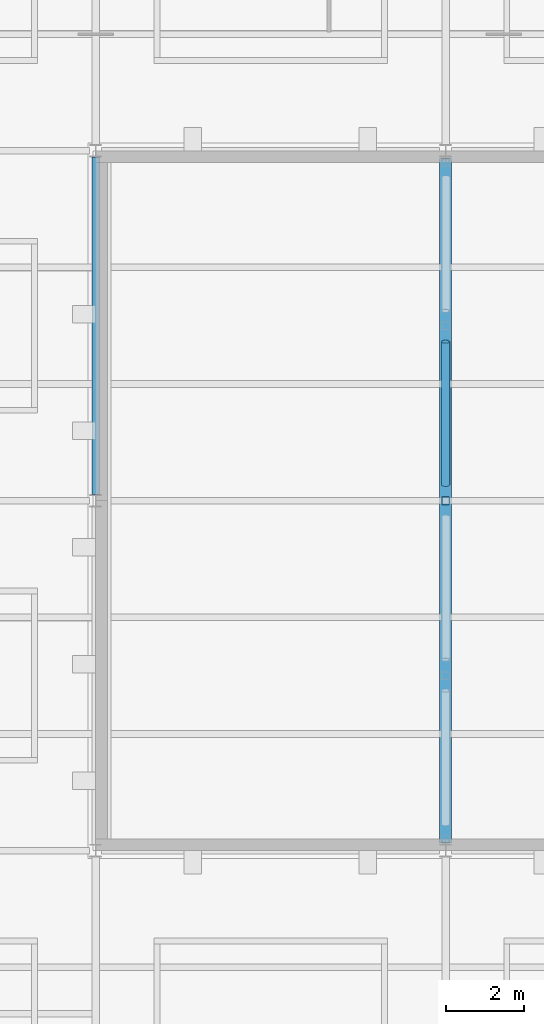
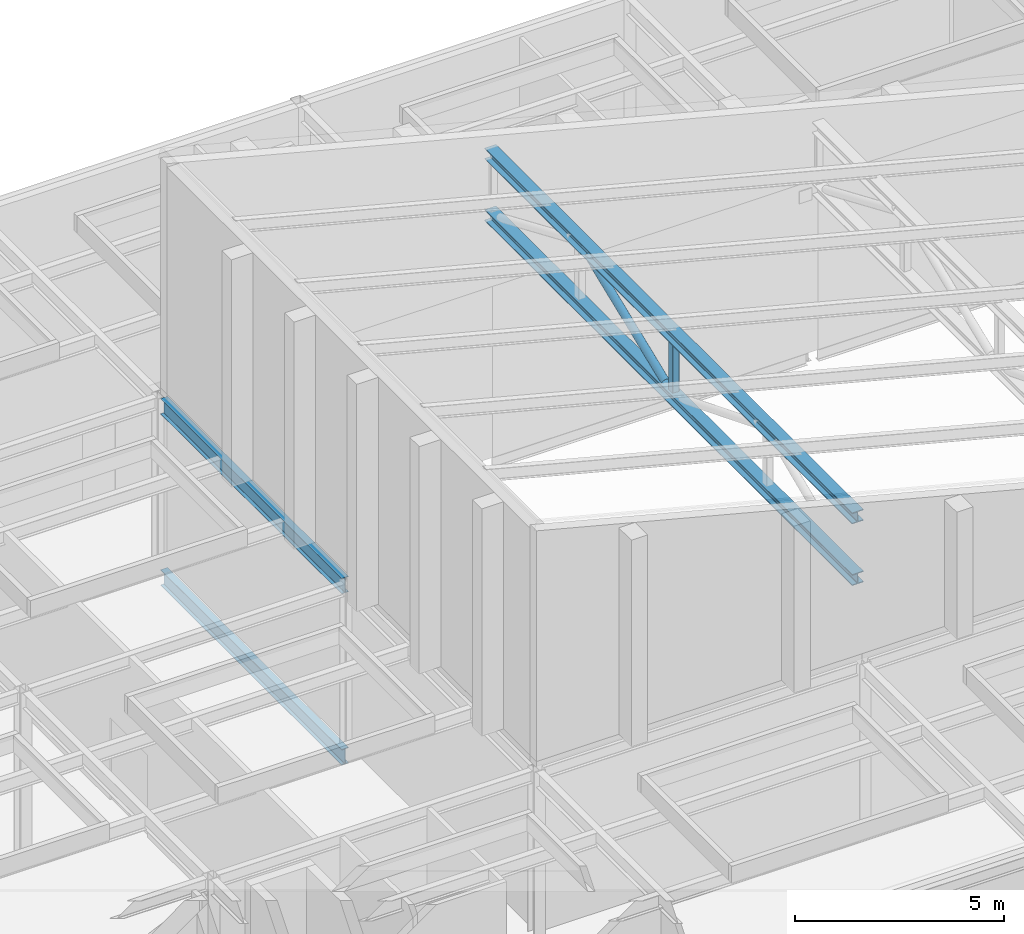
# One storey, part 37 of 115: 4 beams, 2 members.
"""IFC4 building model written with IfcOpenShell, lengths in metres."""

from ifc_helpers import new_model, si_unit, direction, frame, origin, origin_2d, place, context, subcontext, project, spatial, hollow_rectangle, hollow_circle, i_section, extrude, material, material_profile, profile_set, type_object, element, save


model = new_model("IFC4")

# Units and contexts
model_context = context("Model", 3, precision=1e-05, world=origin(), true_north=direction((0.0, 1.0)))
body_context = subcontext(model_context, "Body", "Model", "MODEL_VIEW")
ifc_project = project(units=[si_unit("LENGTHUNIT", "METRE"), si_unit("AREAUNIT", "SQUARE_METRE"), si_unit("VOLUMEUNIT", "CUBIC_METRE"), si_unit("PLANEANGLEUNIT", "RADIAN"), si_unit("MASSUNIT", "GRAM", prefix="KILO")], contexts=[model_context])

# Site, building, storey
site_placement = place(None, origin())
site = spatial("IfcSite", under=ifc_project, at=site_placement, CompositionType="ELEMENT")
building_placement = place(site_placement, origin())
building = spatial("IfcBuilding", under=site, at=building_placement, Name="Shorebreak Coast Museum", CompositionType="ELEMENT")
storey_placement = place(building_placement, frame((0.0, 0.0, 11.0)))
storey = spatial("IfcBuildingStorey", under=building, at=storey_placement, Name="L02", CompositionType="ELEMENT", Elevation=11.0)

# Beams
ifc_material_1 = material(Name="Steel Grade 300", Category="steel")
ifc_material_profile_1 = material_profile(ifc_material_1, i_section(OverallWidth=0.31103515625, OverallDepth=0.3271484375, WebThickness=0.015625, FlangeThickness=0.02490234375, FilletRadius=0.0166015625, at=origin_2d()), Name="310UC158")
ifc_profile_set_1 = profile_set([ifc_material_profile_1], Name="Steel Grade 300")
beam_type_1 = type_object("IfcBeamType", Name="Auditorium roof truss chord 310UC158", PredefinedType="BEAM", material=ifc_profile_set_1)
for number, where, z_axis, x_axis, name in (
    (1, (27.0, 63.199951171875, 7.081298828125), (0.0, 1.0, 0.0), (-1.0, 0.0, 0.0), "Auditorium roof truss TS1 chord C01"),
    (2, (27.0, 63.199951171875, 8.881103515625), (0.0, 1.0, 0.0), (-1.0, 0.0, 0.0), "Auditorium roof truss TS1 chord C02"),
):
    element("IfcBeam", number, at=place(storey_placement, frame(where, z_axis=z_axis, x_axis=x_axis)), inside=storey, type_object=beam_type_1, Name=name, PredefinedType="BEAM", context=body_context, shape_type="SweptSolid", body=[
        extrude(i_section(OverallWidth=0.31103515625, OverallDepth=0.3271484375, WebThickness=0.015625, FlangeThickness=0.02490234375, FilletRadius=0.0166015625, at=origin_2d()), origin(), (0.0, 0.0, 1.0), 17.60009765625),
    ])

# Members
ifc_material_2 = material(Name="Steel Grade C350L0", Category="steel")
ifc_material_profile_2 = material_profile(ifc_material_2, hollow_circle(Radius=0.109619140625, WallThickness=0.00830078125, at=origin_2d()), Name="219.1x8.2 CHS")
ifc_profile_set_2 = profile_set([ifc_material_profile_2], Name="Steel Grade C350L0")
member_type_1 = type_object("IfcMemberType", Name="Auditorium roof truss diagonal 219.1x8.2 CHS", PredefinedType="BRACE", material=ifc_profile_set_2)
member_1_placement = place(storey_placement, frame((27.0, 72.408935546875, 7.244873046875), z_axis=(0.0, 0.92849367282, 0.371348218701), x_axis=(-1.0, 0.0, 0.0)))
element("IfcMember", 3, at=member_1_placement, inside=storey, type_object=member_type_1, Name="Auditorium roof truss TS1 diagonal D03", PredefinedType="BRACE", context=body_context, shape_type="SweptSolid", body=[
    extrude(hollow_circle(Radius=0.109619140625, WallThickness=0.00830078125, at=origin_2d()), origin(), (0.0, 0.0, 1.0), 3.9658203125),
])
ifc_material_3 = material(Name="Steel Grade C450L0", Category="steel")
ifc_material_profile_3 = material_profile(ifc_material_3, hollow_rectangle(XDim=0.199951171875, YDim=0.199951171875, WallThickness=0.009033203125, InnerFilletRadius=0.013427734375, OuterFilletRadius=0.0224609375, at=origin_2d()), Name="200x200x9.0 SHS")
ifc_profile_set_3 = profile_set([ifc_material_profile_3], Name="Steel Grade C450L0")
member_type_2 = type_object("IfcMemberType", Name="Auditorium roof truss strut 200x200x9.0 SHS", PredefinedType="STRUT", material=ifc_profile_set_3)
member_2_placement = place(storey_placement, frame((27.0, 72.0, 7.244873046875), z_axis=(0.0, 0.0, 1.0), x_axis=(1.0, 0.0, 0.0)))
element("IfcMember", 4, at=member_2_placement, inside=storey, type_object=member_type_2, Name="Auditorium roof truss TS1 strut V03", PredefinedType="STRUT", context=body_context, shape_type="SweptSolid", body=[
    extrude(hollow_rectangle(XDim=0.199951171875, YDim=0.199951171875, WallThickness=0.009033203125, InnerFilletRadius=0.013427734375, OuterFilletRadius=0.0224609375, at=origin_2d()), origin(), (0.0, 0.0, 1.0), 1.47265625),
])

# Beams
ifc_material_4 = material(Name="Steel Grade 300", Category="steel")
ifc_material_profile_4 = material_profile(ifc_material_4, i_section(OverallWidth=0.19091796875, OverallDepth=0.46044921875, WebThickness=0.010009765625, FlangeThickness=0.01611328125, FilletRadius=0.011474609375, at=origin_2d()), Name="460UB82.1")
ifc_profile_set_4 = profile_set([ifc_material_profile_4], Name="Steel Grade 300")
beam_type_2 = type_object("IfcBeamType", Name="Floor girder north-south 460UB82.1", PredefinedType="BEAM", material=ifc_profile_set_4)
beam_1_placement = place(storey_placement, frame((18.0, 72.16357421875, -0.4052734375), z_axis=(0.0, 1.0, 0.0), x_axis=(-1.0, 0.0, 0.0)))
element("IfcBeam", 5, at=beam_1_placement, inside=storey, type_object=beam_type_2, Name="Floor girder north-south L02 3J", PredefinedType="BEAM", context=body_context, shape_type="SweptSolid", body=[
    extrude(i_section(OverallWidth=0.19091796875, OverallDepth=0.46044921875, WebThickness=0.010009765625, FlangeThickness=0.01611328125, FilletRadius=0.011474609375, at=origin_2d()), origin(), (0.0, 0.0, 1.0), 8.6728515625),
])
ifc_material_5 = material(Name="Steel Grade 300", Category="steel")
ifc_material_profile_5 = material_profile(ifc_material_5, i_section(OverallWidth=0.18994140625, OverallDepth=0.453857421875, WebThickness=0.008544921875, FlangeThickness=0.0126953125, FilletRadius=0.011474609375, at=origin_2d()), Name="460UB67.1")
ifc_profile_set_5 = profile_set([ifc_material_profile_5], Name="Steel Grade 300")
beam_type_3 = type_object("IfcBeamType", Name="Roof deck girder north-south 460UB67.1", PredefinedType="BEAM", material=ifc_profile_set_5)
beam_2_placement = place(storey_placement, frame((18.0, 72.16357421875, 4.59814453125), z_axis=(0.0, 1.0, 0.0), x_axis=(-1.0, 0.0, 0.0)))
element("IfcBeam", 6, at=beam_2_placement, inside=storey, type_object=beam_type_3, Name="Roof deck girder north-south L03 3J", PredefinedType="BEAM", context=body_context, shape_type="SweptSolid", body=[
    extrude(i_section(OverallWidth=0.18994140625, OverallDepth=0.453857421875, WebThickness=0.008544921875, FlangeThickness=0.0126953125, FilletRadius=0.011474609375, at=origin_2d()), origin(), (0.0, 0.0, 1.0), 8.6728515625),
])

save(model, "model.ifc")
